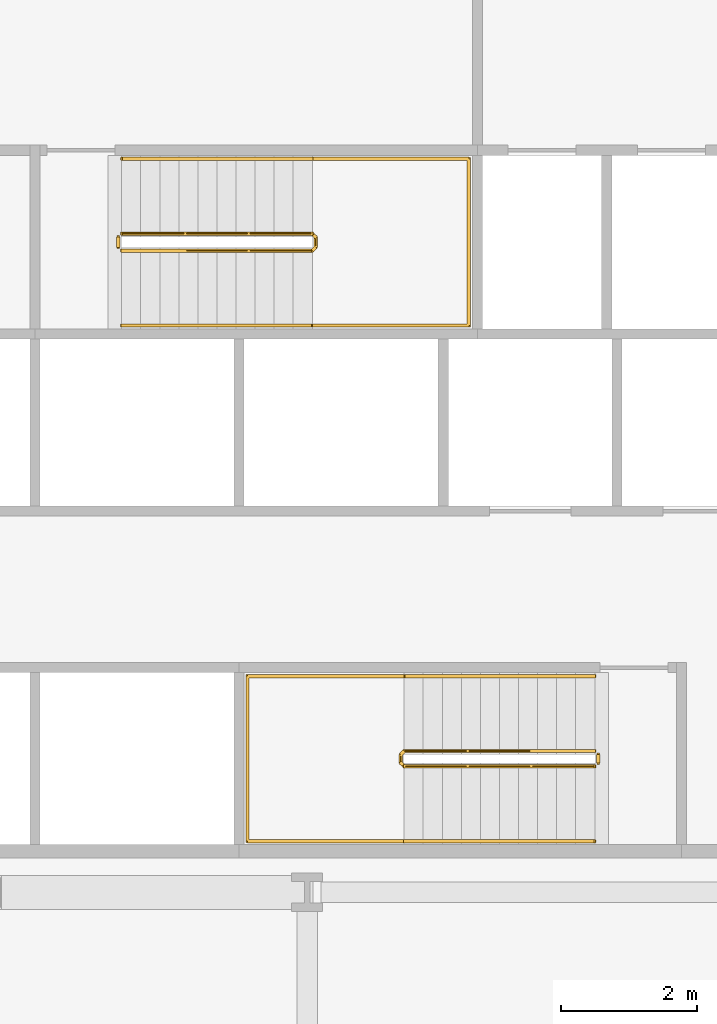
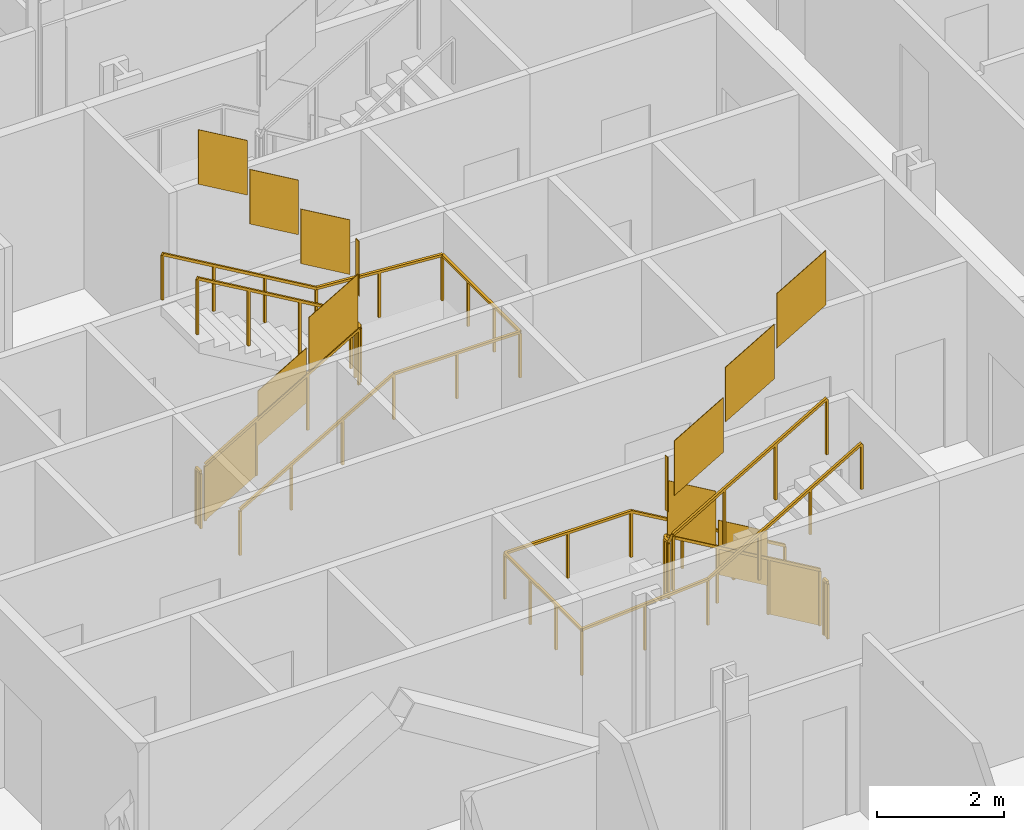
# One storey, part 17 of 20: 6 railings.
"""IFC4 building model written with IfcOpenShell, lengths in metres."""

from ifc_helpers import new_model, si_unit, direction, frame, origin, origin_2d, place, context, subcontext, project, spatial, polyline, rectangle, outline, extrude, material, type_object, element, save


model = new_model("IFC4")

# Units and contexts
model_context = context("Model", 3, precision=1e-05, world=origin(), true_north=direction((0.0, 1.0)))
body_context = subcontext(model_context, "Body", "Model", "MODEL_VIEW")
ifc_project = project(units=[si_unit("LENGTHUNIT", "METRE"), si_unit("AREAUNIT", "SQUARE_METRE"), si_unit("VOLUMEUNIT", "CUBIC_METRE"), si_unit("PLANEANGLEUNIT", "RADIAN"), si_unit("MASSUNIT", "GRAM", prefix="KILO")], contexts=[model_context])

# Site, building, storey
site_placement = place(None, origin())
site = spatial("IfcSite", under=ifc_project, at=site_placement, CompositionType="ELEMENT")
building_placement = place(site_placement, origin())
building = spatial("IfcBuilding", under=site, at=building_placement, Name="Cairn Pilgrim Tower", CompositionType="ELEMENT")
storey_placement = place(building_placement, frame((0.0, 0.0, 51.0)))
storey = spatial("IfcBuildingStorey", under=building, at=storey_placement, Name="L10", CompositionType="ELEMENT", Elevation=51.0)

# Railings
ifc_material = material(Name="Painted steel", Category="steel")
railing_type_1 = type_object("IfcRailingType", Name="STAIR GUARD 1100", PredefinedType="GUARDRAIL", material=ifc_material)
railing_1_placement = place(storey_placement, frame((11.425048828125, -3.925048828125, 0.16357421875)))
element("IfcRailing", 1, at=railing_1_placement, inside=storey, type_object=railing_type_1, Name="L10 ST-A stair guard 1", PredefinedType="GUARDRAIL", context=body_context, shape_type="SweptSolid", body=[
    extrude(rectangle(XDim=0.048095703125, YDim=0.048095703125, at=origin_2d()), frame((0.0, 0.0, 1.076171875), z_axis=(-0.863360870873, 0.0, 0.504586966384), x_axis=(0.0, -1.0, 0.0)), (0.0, 0.0, 1.0), 3.2431640625),
    extrude(rectangle(XDim=0.048095703125, YDim=0.048095703125, at=origin_2d()), frame((-2.800048828125, 0.0, 2.71240234375), z_axis=(-0.707106781187, -0.707106781187, 0.0), x_axis=(0.707106781187, -0.707106781187, 0.0)), (0.0, 0.0, 1.0), 0.07080078125),
    extrude(rectangle(XDim=0.048095703125, YDim=0.048095703125, at=origin_2d()), frame((-2.85009765625, -0.050048828125, 2.71240234375), z_axis=(0.0, -1.0, 0.0), x_axis=(1.0, 0.0, 0.0)), (0.0, 0.0, 1.0), 0.125),
    extrude(rectangle(XDim=0.048095703125, YDim=0.048095703125, at=origin_2d()), frame((-2.85009765625, -0.175048828125, 2.71240234375), z_axis=(0.280916556609, -0.279546231943, 0.91811752648), x_axis=(0.705375805398, 0.708833529934, 0.0)), (0.0, 0.0, 1.0), 0.17822265625),
    extrude(rectangle(XDim=0.048095703125, YDim=0.048095703125, at=origin_2d()), frame((-2.800048828125, -0.224853515625, 2.8759765625), z_axis=(0.863360870873, 0.0, 0.504586966384), x_axis=(0.0, 1.0, 0.0)), (0.0, 0.0, 1.0), 3.2431640625),
    extrude(rectangle(XDim=0.0419921875, YDim=0.0419921875, at=origin_2d()), origin(), (0.0, 0.0, 1.0), 1.052001953125),
    extrude(rectangle(XDim=0.0419921875, YDim=0.0419921875, at=origin_2d()), frame((-0.933349609375, 0.0, 0.54541015625)), (0.0, 0.0, 1.0), 1.052001953125),
    extrude(rectangle(XDim=0.0419921875, YDim=0.0419921875, at=origin_2d()), frame((-1.86669921875, 0.0, 1.091064453125)), (0.0, 0.0, 1.0), 1.052001953125),
    extrude(rectangle(XDim=0.0419921875, YDim=0.0419921875, at=origin_2d()), frame((-2.800048828125, 0.0, 1.636474609375)), (0.0, 0.0, 1.0), 1.052001953125),
    extrude(rectangle(XDim=0.0419921875, YDim=0.0419921875, at=origin_2d()), frame((-2.85009765625, -0.050048828125, 1.636474609375)), (0.0, 0.0, 1.0), 1.052001953125),
    extrude(rectangle(XDim=0.0419921875, YDim=0.0419921875, at=origin_2d()), frame((-2.85009765625, -0.175048828125, 1.636474609375)), (0.0, 0.0, 1.0), 1.052001953125),
    extrude(rectangle(XDim=0.0419921875, YDim=0.0419921875, at=origin_2d()), frame((-2.800048828125, -0.224853515625, 1.800048828125)), (0.0, 0.0, 1.0), 1.052001953125),
    extrude(rectangle(XDim=0.0419921875, YDim=0.0419921875, at=origin_2d()), frame((-1.86669921875, -0.224853515625, 2.345458984375)), (0.0, 0.0, 1.0), 1.052001953125),
    extrude(rectangle(XDim=0.0419921875, YDim=0.0419921875, at=origin_2d()), frame((-0.933349609375, -0.224853515625, 2.89111328125)), (0.0, 0.0, 1.0), 1.052001953125),
    extrude(rectangle(XDim=0.0419921875, YDim=0.0419921875, at=origin_2d()), frame((0.0, -0.224853515625, 3.4365234375)), (0.0, 0.0, 1.0), 1.052001953125),
    extrude(outline(polyline([(0.02099609375, 0.01220703125), (0.912353515625, 0.533203125), (0.912353515625, 1.585205078125), (0.02099609375, 1.064208984375), (0.02099609375, 0.01220703125)])), frame((0.0, -0.005859375, 0.0), z_axis=(0.0, 1.0, 0.0), x_axis=(-1.0, 0.0, 0.0)), (0.0, 0.0, 1.0), 0.011962890625),
    extrude(outline(polyline([(0.02099609375, 0.557861328125), (0.912353515625, 1.07861328125), (0.912353515625, 2.130615234375), (0.02099609375, 1.60986328125), (0.02099609375, 0.557861328125)])), frame((-0.933349609375, -0.005859375, 0.54541015625), z_axis=(0.0, 1.0, 0.0), x_axis=(-1.0, 0.0, 0.0)), (0.0, 0.0, 1.0), 0.011962890625),
    extrude(outline(polyline([(0.02099609375, 1.103271484375), (0.912353515625, 1.624267578125), (0.912353515625, 2.67626953125), (0.02099609375, 2.1552734375), (0.02099609375, 1.103271484375)])), frame((-1.86669921875, -0.005859375, 1.091064453125), z_axis=(0.0, 1.0, 0.0), x_axis=(-1.0, 0.0, 0.0)), (0.0, 0.0, 1.0), 0.011962890625),
    extrude(outline(polyline([(0.02099609375, 1.636474609375), (0.10400390625, 1.636474609375), (0.10400390625, 2.6884765625), (0.02099609375, 2.6884765625), (0.02099609375, 1.636474609375)])), frame((-2.84423828125, -0.050048828125, 1.636474609375), z_axis=(-1.0, 0.0, 0.0), x_axis=(0.0, -1.0, 0.0)), (0.0, 0.0, 1.0), 0.011962890625),
    extrude(outline(polyline([(0.02099609375, 1.812255859375), (0.912353515625, 2.333251953125), (0.912353515625, 3.38525390625), (0.02099609375, 2.8642578125), (0.02099609375, 1.812255859375)])), frame((-2.800048828125, -0.21875, 1.800048828125), z_axis=(0.0, -1.0, 0.0), x_axis=(1.0, 0.0, 0.0)), (0.0, 0.0, 1.0), 0.011962890625),
    extrude(outline(polyline([(0.02099609375, 2.35791015625), (0.912353515625, 2.878662109375), (0.912353515625, 3.9306640625), (0.02099609375, 3.409912109375), (0.02099609375, 2.35791015625)])), frame((-1.86669921875, -0.21875, 2.345458984375), z_axis=(0.0, -1.0, 0.0), x_axis=(1.0, 0.0, 0.0)), (0.0, 0.0, 1.0), 0.011962890625),
    extrude(outline(polyline([(0.02099609375, 2.9033203125), (0.912353515625, 3.42431640625), (0.912353515625, 4.476318359375), (0.02099609375, 3.955322265625), (0.02099609375, 2.9033203125)])), frame((-0.933349609375, -0.21875, 2.89111328125), z_axis=(0.0, -1.0, 0.0), x_axis=(1.0, 0.0, 0.0)), (0.0, 0.0, 1.0), 0.011962890625),
])
railing_2_placement = place(storey_placement, frame((11.47509765625, -3.97509765625, 0.0)))
element("IfcRailing", 2, at=railing_2_placement, inside=storey, type_object=railing_type_1, Name="L10 ST-A stair guard 2", PredefinedType="GUARDRAIL", context=body_context, shape_type="SweptSolid", body=[
    extrude(rectangle(XDim=0.048095703125, YDim=0.048095703125, at=origin_2d()), frame((0.0, 0.0, 1.076171875), z_axis=(0.0, -1.0, 0.0), x_axis=(1.0, 0.0, 0.0)), (0.0, 0.0, 1.0), 0.125),
    extrude(rectangle(XDim=0.0419921875, YDim=0.0419921875, at=origin_2d()), origin(), (0.0, 0.0, 1.0), 1.052001953125),
    extrude(rectangle(XDim=0.0419921875, YDim=0.0419921875, at=origin_2d()), frame((0.0, -0.125, 0.0)), (0.0, 0.0, 1.0), 1.052001953125),
    extrude(outline(polyline([(0.02099609375, 0.0), (0.10400390625, 0.0), (0.10400390625, 1.052001953125), (0.02099609375, 1.052001953125), (0.02099609375, 0.0)])), frame((0.005859375, 0.0, 0.0), z_axis=(-1.0, 0.0, 0.0), x_axis=(0.0, -1.0, 0.0)), (0.0, 0.0, 1.0), 0.011962890625),
])
railing_3_placement = place(storey_placement, frame((4.47509765625, 3.425048828125, 0.16357421875)))
element("IfcRailing", 3, at=railing_3_placement, inside=storey, type_object=railing_type_1, Name="L10 ST-B stair guard 1", PredefinedType="GUARDRAIL", context=body_context, shape_type="SweptSolid", body=[
    extrude(rectangle(XDim=0.048095703125, YDim=0.048095703125, at=origin_2d()), frame((0.0, 0.0, 1.076171875), z_axis=(0.863341702679, 0.0, 0.504619762213), x_axis=(0.0, 1.0, 0.0)), (0.0, 0.0, 1.0), 3.242919921875),
    extrude(rectangle(XDim=0.048095703125, YDim=0.048095703125, at=origin_2d()), frame((2.7998046875, 0.0, 2.71240234375), z_axis=(0.707106781187, 0.707106781187, 0.0), x_axis=(-0.707106781187, 0.707106781187, 0.0)), (0.0, 0.0, 1.0), 0.07080078125),
    extrude(rectangle(XDim=0.048095703125, YDim=0.048095703125, at=origin_2d()), frame((2.849853515625, 0.050048828125, 2.71240234375), z_axis=(0.0, 1.0, 0.0), x_axis=(-1.0, 0.0, 0.0)), (0.0, 0.0, 1.0), 0.14990234375),
    extrude(rectangle(XDim=0.048095703125, YDim=0.048095703125, at=origin_2d()), frame((2.849853515625, 0.199951171875, 2.71240234375), z_axis=(-0.280808744504, 0.280808744504, 0.917765164963), x_axis=(-0.707106781187, -0.707106781187, 0.0)), (0.0, 0.0, 1.0), 0.17822265625),
    extrude(rectangle(XDim=0.048095703125, YDim=0.048095703125, at=origin_2d()), frame((2.7998046875, 0.25, 2.8759765625), z_axis=(-0.863341702679, 0.0, 0.504619762213), x_axis=(0.0, -1.0, 0.0)), (0.0, 0.0, 1.0), 3.242919921875),
    extrude(rectangle(XDim=0.0419921875, YDim=0.0419921875, at=origin_2d()), origin(), (0.0, 0.0, 1.0), 1.052001953125),
    extrude(rectangle(XDim=0.0419921875, YDim=0.0419921875, at=origin_2d()), frame((0.933349609375, 0.0, 0.54541015625)), (0.0, 0.0, 1.0), 1.052001953125),
    extrude(rectangle(XDim=0.0419921875, YDim=0.0419921875, at=origin_2d()), frame((1.866455078125, 0.0, 1.091064453125)), (0.0, 0.0, 1.0), 1.052001953125),
    extrude(rectangle(XDim=0.0419921875, YDim=0.0419921875, at=origin_2d()), frame((2.7998046875, 0.0, 1.636474609375)), (0.0, 0.0, 1.0), 1.052001953125),
    extrude(rectangle(XDim=0.0419921875, YDim=0.0419921875, at=origin_2d()), frame((2.849853515625, 0.050048828125, 1.636474609375)), (0.0, 0.0, 1.0), 1.052001953125),
    extrude(rectangle(XDim=0.0419921875, YDim=0.0419921875, at=origin_2d()), frame((2.849853515625, 0.199951171875, 1.636474609375)), (0.0, 0.0, 1.0), 1.052001953125),
    extrude(rectangle(XDim=0.0419921875, YDim=0.0419921875, at=origin_2d()), frame((2.7998046875, 0.25, 1.800048828125)), (0.0, 0.0, 1.0), 1.052001953125),
    extrude(rectangle(XDim=0.0419921875, YDim=0.0419921875, at=origin_2d()), frame((1.866455078125, 0.25, 2.345458984375)), (0.0, 0.0, 1.0), 1.052001953125),
    extrude(rectangle(XDim=0.0419921875, YDim=0.0419921875, at=origin_2d()), frame((0.933349609375, 0.25, 2.89111328125)), (0.0, 0.0, 1.0), 1.052001953125),
    extrude(rectangle(XDim=0.0419921875, YDim=0.0419921875, at=origin_2d()), frame((0.0, 0.25, 3.4365234375)), (0.0, 0.0, 1.0), 1.052001953125),
    extrude(outline(polyline([(0.02099609375, 0.01220703125), (0.912353515625, 0.533203125), (0.912353515625, 1.585205078125), (0.02099609375, 1.064208984375), (0.02099609375, 0.01220703125)])), frame((0.0, 0.005859375, 0.0), z_axis=(0.0, -1.0, 0.0), x_axis=(1.0, 0.0, 0.0)), (0.0, 0.0, 1.0), 0.011962890625),
    extrude(outline(polyline([(0.02099609375, 0.557861328125), (0.912353515625, 1.07861328125), (0.912353515625, 2.130615234375), (0.02099609375, 1.60986328125), (0.02099609375, 0.557861328125)])), frame((0.933349609375, 0.005859375, 0.54541015625), z_axis=(0.0, -1.0, 0.0), x_axis=(1.0, 0.0, 0.0)), (0.0, 0.0, 1.0), 0.011962890625),
    extrude(outline(polyline([(0.02099609375, 1.103271484375), (0.912353515625, 1.624267578125), (0.912353515625, 2.67626953125), (0.02099609375, 2.1552734375), (0.02099609375, 1.103271484375)])), frame((1.866455078125, 0.005859375, 1.091064453125), z_axis=(0.0, -1.0, 0.0), x_axis=(1.0, 0.0, 0.0)), (0.0, 0.0, 1.0), 0.011962890625),
    extrude(outline(polyline([(0.02099609375, 1.636474609375), (0.12890625, 1.636474609375), (0.12890625, 2.6884765625), (0.02099609375, 2.6884765625), (0.02099609375, 1.636474609375)])), frame((2.84375, 0.050048828125, 1.636474609375), z_axis=(1.0, 0.0, 0.0), x_axis=(0.0, 1.0, 0.0)), (0.0, 0.0, 1.0), 0.011962890625),
    extrude(outline(polyline([(0.02099609375, 1.812255859375), (0.912353515625, 2.333251953125), (0.912353515625, 3.38525390625), (0.02099609375, 2.8642578125), (0.02099609375, 1.812255859375)])), frame((2.7998046875, 0.244140625, 1.800048828125), z_axis=(0.0, 1.0, 0.0), x_axis=(-1.0, 0.0, 0.0)), (0.0, 0.0, 1.0), 0.011962890625),
    extrude(outline(polyline([(0.02099609375, 2.35791015625), (0.912353515625, 2.878662109375), (0.912353515625, 3.9306640625), (0.02099609375, 3.409912109375), (0.02099609375, 2.35791015625)])), frame((1.866455078125, 0.244140625, 2.345458984375), z_axis=(0.0, 1.0, 0.0), x_axis=(-1.0, 0.0, 0.0)), (0.0, 0.0, 1.0), 0.011962890625),
    extrude(outline(polyline([(0.02099609375, 2.9033203125), (0.912353515625, 3.42431640625), (0.912353515625, 4.476318359375), (0.02099609375, 3.955322265625), (0.02099609375, 2.9033203125)])), frame((0.933349609375, 0.244140625, 2.89111328125), z_axis=(0.0, 1.0, 0.0), x_axis=(-1.0, 0.0, 0.0)), (0.0, 0.0, 1.0), 0.011962890625),
])
railing_4_placement = place(storey_placement, frame((4.425048828125, 3.47509765625, 0.0)))
element("IfcRailing", 4, at=railing_4_placement, inside=storey, type_object=railing_type_1, Name="L10 ST-B stair guard 2", PredefinedType="GUARDRAIL", context=body_context, shape_type="SweptSolid", body=[
    extrude(rectangle(XDim=0.048095703125, YDim=0.048095703125, at=origin_2d()), frame((0.0, 0.0, 1.076171875), z_axis=(0.0, 1.0, 0.0), x_axis=(-1.0, 0.0, 0.0)), (0.0, 0.0, 1.0), 0.14990234375),
    extrude(rectangle(XDim=0.0419921875, YDim=0.0419921875, at=origin_2d()), origin(), (0.0, 0.0, 1.0), 1.052001953125),
    extrude(rectangle(XDim=0.0419921875, YDim=0.0419921875, at=origin_2d()), frame((0.0, 0.14990234375, 0.0)), (0.0, 0.0, 1.0), 1.052001953125),
    extrude(outline(polyline([(0.02099609375, 0.0), (0.12890625, 0.0), (0.12890625, 1.052001953125), (0.02099609375, 1.052001953125), (0.02099609375, 0.0)])), frame((-0.005859375, 0.0, 0.0), z_axis=(1.0, 0.0, 0.0), x_axis=(0.0, 1.0, 0.0)), (0.0, 0.0, 1.0), 0.011962890625),
])
railing_type_2 = type_object("IfcRailingType", Name="STAIR HANDRAIL 900", PredefinedType="HANDRAIL", material=ifc_material)
railing_5_placement = place(storey_placement, frame((11.425048828125, -2.824951171875, 0.16357421875)))
element("IfcRailing", 5, at=railing_5_placement, inside=storey, type_object=railing_type_2, Name="L10 ST-A stair handrail 1", PredefinedType="HANDRAIL", context=body_context, shape_type="SweptSolid", body=[
    extrude(rectangle(XDim=0.048095703125, YDim=0.048095703125, at=origin_2d()), frame((0.0, 0.0, 0.8759765625), z_axis=(-0.863360870873, 0.0, 0.504586966384), x_axis=(0.0, -1.0, 0.0)), (0.0, 0.0, 1.0), 3.2431640625),
    extrude(rectangle(XDim=0.048095703125, YDim=0.048095703125, at=origin_2d()), frame((-2.800048828125, 0.0, 2.51220703125), z_axis=(-1.0, 0.0, 0.0), x_axis=(0.0, -1.0, 0.0)), (0.0, 0.0, 1.0), 2.300048828125),
    extrude(rectangle(XDim=0.048095703125, YDim=0.048095703125, at=origin_2d()), frame((-5.10009765625, 0.0, 2.51220703125), z_axis=(0.0, -1.0, 0.0), x_axis=(1.0, 0.0, 0.0)), (0.0, 0.0, 1.0), 2.425048828125),
    extrude(rectangle(XDim=0.048095703125, YDim=0.048095703125, at=origin_2d()), frame((-5.10009765625, -2.425048828125, 2.51220703125), z_axis=(0.997480687736, 0.0, 0.070938548008), x_axis=(0.0, 1.0, 0.0)), (0.0, 0.0, 1.0), 2.305908203125),
    extrude(rectangle(XDim=0.048095703125, YDim=0.048095703125, at=origin_2d()), frame((-2.800048828125, -2.425048828125, 2.67578125), z_axis=(0.863360870873, 0.0, 0.504586966384), x_axis=(0.0, 1.0, 0.0)), (0.0, 0.0, 1.0), 3.2431640625),
    extrude(rectangle(XDim=0.0419921875, YDim=0.0419921875, at=origin_2d()), origin(), (0.0, 0.0, 1.0), 0.851806640625),
    extrude(rectangle(XDim=0.0419921875, YDim=0.0419921875, at=origin_2d()), frame((-0.933349609375, 0.0, 0.54541015625)), (0.0, 0.0, 1.0), 0.851806640625),
    extrude(rectangle(XDim=0.0419921875, YDim=0.0419921875, at=origin_2d()), frame((-1.86669921875, 0.0, 1.091064453125)), (0.0, 0.0, 1.0), 0.851806640625),
    extrude(rectangle(XDim=0.0419921875, YDim=0.0419921875, at=origin_2d()), frame((-2.800048828125, 0.0, 1.636474609375)), (0.0, 0.0, 1.0), 0.851806640625),
    extrude(rectangle(XDim=0.0419921875, YDim=0.0419921875, at=origin_2d()), frame((-3.9501953125, 0.0, 1.636474609375)), (0.0, 0.0, 1.0), 0.851806640625),
    extrude(rectangle(XDim=0.0419921875, YDim=0.0419921875, at=origin_2d()), frame((-5.10009765625, 0.0, 1.636474609375)), (0.0, 0.0, 1.0), 0.851806640625),
    extrude(rectangle(XDim=0.0419921875, YDim=0.0419921875, at=origin_2d()), frame((-5.10009765625, -0.808349609375, 1.636474609375)), (0.0, 0.0, 1.0), 0.851806640625),
    extrude(rectangle(XDim=0.0419921875, YDim=0.0419921875, at=origin_2d()), frame((-5.10009765625, -1.61669921875, 1.636474609375)), (0.0, 0.0, 1.0), 0.851806640625),
    extrude(rectangle(XDim=0.0419921875, YDim=0.0419921875, at=origin_2d()), frame((-5.10009765625, -2.425048828125, 1.636474609375)), (0.0, 0.0, 1.0), 0.851806640625),
    extrude(rectangle(XDim=0.0419921875, YDim=0.0419921875, at=origin_2d()), frame((-3.9501953125, -2.425048828125, 1.71826171875)), (0.0, 0.0, 1.0), 0.851806640625),
    extrude(rectangle(XDim=0.0419921875, YDim=0.0419921875, at=origin_2d()), frame((-2.800048828125, -2.425048828125, 1.800048828125)), (0.0, 0.0, 1.0), 0.851806640625),
    extrude(rectangle(XDim=0.0419921875, YDim=0.0419921875, at=origin_2d()), frame((-1.86669921875, -2.425048828125, 2.345458984375)), (0.0, 0.0, 1.0), 0.851806640625),
    extrude(rectangle(XDim=0.0419921875, YDim=0.0419921875, at=origin_2d()), frame((-0.933349609375, -2.425048828125, 2.89111328125)), (0.0, 0.0, 1.0), 0.851806640625),
    extrude(rectangle(XDim=0.0419921875, YDim=0.0419921875, at=origin_2d()), frame((0.0, -2.425048828125, 3.4365234375)), (0.0, 0.0, 1.0), 0.851806640625),
])
railing_6_placement = place(storey_placement, frame((4.47509765625, 2.324951171875, 0.16357421875)))
element("IfcRailing", 6, at=railing_6_placement, inside=storey, type_object=railing_type_2, Name="L10 ST-B stair handrail 1", PredefinedType="HANDRAIL", context=body_context, shape_type="SweptSolid", body=[
    extrude(rectangle(XDim=0.048095703125, YDim=0.048095703125, at=origin_2d()), frame((0.0, 0.0, 0.8759765625), z_axis=(0.863341702679, 0.0, 0.504619762213), x_axis=(0.0, 1.0, 0.0)), (0.0, 0.0, 1.0), 3.242919921875),
    extrude(rectangle(XDim=0.048095703125, YDim=0.048095703125, at=origin_2d()), frame((2.7998046875, 0.0, 2.51220703125), z_axis=(1.0, 0.0, 0.0), x_axis=(0.0, 1.0, 0.0)), (0.0, 0.0, 1.0), 2.300048828125),
    extrude(rectangle(XDim=0.048095703125, YDim=0.048095703125, at=origin_2d()), frame((5.099853515625, 0.0, 2.51220703125), z_axis=(0.0, 1.0, 0.0), x_axis=(-1.0, 0.0, 0.0)), (0.0, 0.0, 1.0), 2.449951171875),
    extrude(rectangle(XDim=0.048095703125, YDim=0.048095703125, at=origin_2d()), frame((5.099853515625, 2.449951171875, 2.51220703125), z_axis=(-0.997480687736, 0.0, 0.070938548008), x_axis=(0.0, -1.0, 0.0)), (0.0, 0.0, 1.0), 2.305908203125),
    extrude(rectangle(XDim=0.048095703125, YDim=0.048095703125, at=origin_2d()), frame((2.7998046875, 2.449951171875, 2.67578125), z_axis=(-0.863341702679, 0.0, 0.504619762213), x_axis=(0.0, -1.0, 0.0)), (0.0, 0.0, 1.0), 3.242919921875),
    extrude(rectangle(XDim=0.0419921875, YDim=0.0419921875, at=origin_2d()), origin(), (0.0, 0.0, 1.0), 0.851806640625),
    extrude(rectangle(XDim=0.0419921875, YDim=0.0419921875, at=origin_2d()), frame((0.933349609375, 0.0, 0.54541015625)), (0.0, 0.0, 1.0), 0.851806640625),
    extrude(rectangle(XDim=0.0419921875, YDim=0.0419921875, at=origin_2d()), frame((1.866455078125, 0.0, 1.091064453125)), (0.0, 0.0, 1.0), 0.851806640625),
    extrude(rectangle(XDim=0.0419921875, YDim=0.0419921875, at=origin_2d()), frame((2.7998046875, 0.0, 1.636474609375)), (0.0, 0.0, 1.0), 0.851806640625),
    extrude(rectangle(XDim=0.0419921875, YDim=0.0419921875, at=origin_2d()), frame((3.94970703125, 0.0, 1.636474609375)), (0.0, 0.0, 1.0), 0.851806640625),
    extrude(rectangle(XDim=0.0419921875, YDim=0.0419921875, at=origin_2d()), frame((5.099853515625, 0.0, 1.636474609375)), (0.0, 0.0, 1.0), 0.851806640625),
    extrude(rectangle(XDim=0.0419921875, YDim=0.0419921875, at=origin_2d()), frame((5.099853515625, 0.816650390625, 1.636474609375)), (0.0, 0.0, 1.0), 0.851806640625),
    extrude(rectangle(XDim=0.0419921875, YDim=0.0419921875, at=origin_2d()), frame((5.099853515625, 1.63330078125, 1.636474609375)), (0.0, 0.0, 1.0), 0.851806640625),
    extrude(rectangle(XDim=0.0419921875, YDim=0.0419921875, at=origin_2d()), frame((5.099853515625, 2.449951171875, 1.636474609375)), (0.0, 0.0, 1.0), 0.851806640625),
    extrude(rectangle(XDim=0.0419921875, YDim=0.0419921875, at=origin_2d()), frame((3.94970703125, 2.449951171875, 1.71826171875)), (0.0, 0.0, 1.0), 0.851806640625),
    extrude(rectangle(XDim=0.0419921875, YDim=0.0419921875, at=origin_2d()), frame((2.7998046875, 2.449951171875, 1.800048828125)), (0.0, 0.0, 1.0), 0.851806640625),
    extrude(rectangle(XDim=0.0419921875, YDim=0.0419921875, at=origin_2d()), frame((1.866455078125, 2.449951171875, 2.345458984375)), (0.0, 0.0, 1.0), 0.851806640625),
    extrude(rectangle(XDim=0.0419921875, YDim=0.0419921875, at=origin_2d()), frame((0.933349609375, 2.449951171875, 2.89111328125)), (0.0, 0.0, 1.0), 0.851806640625),
    extrude(rectangle(XDim=0.0419921875, YDim=0.0419921875, at=origin_2d()), frame((0.0, 2.449951171875, 3.4365234375)), (0.0, 0.0, 1.0), 0.851806640625),
])

save(model, "model.ifc")
